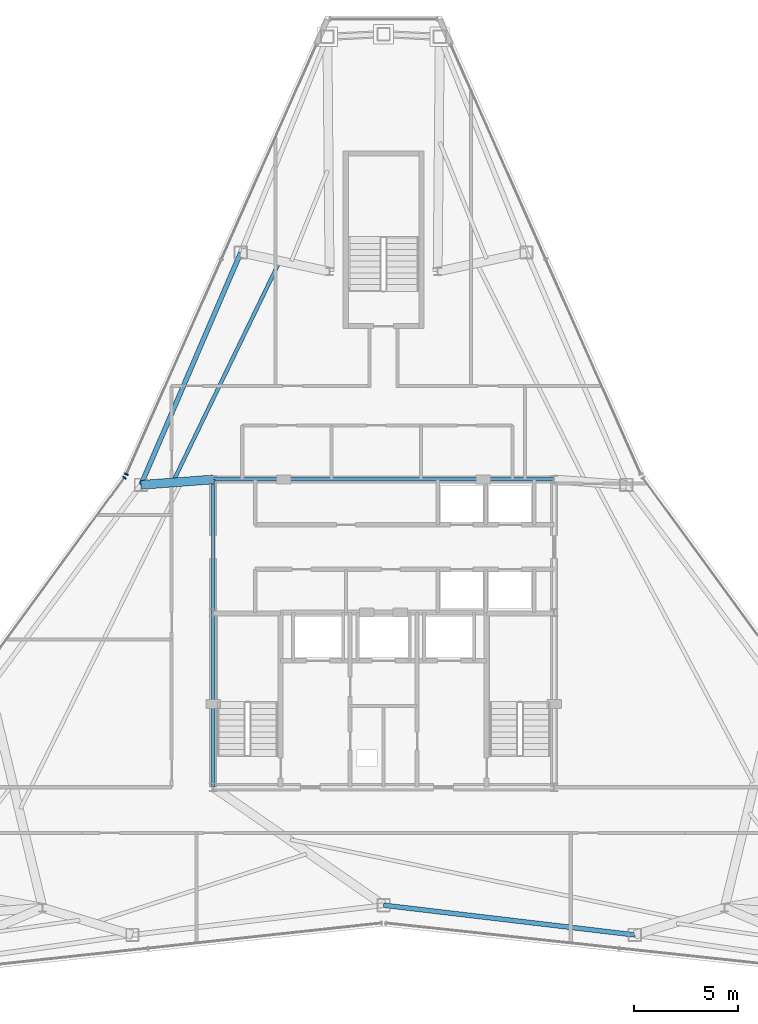
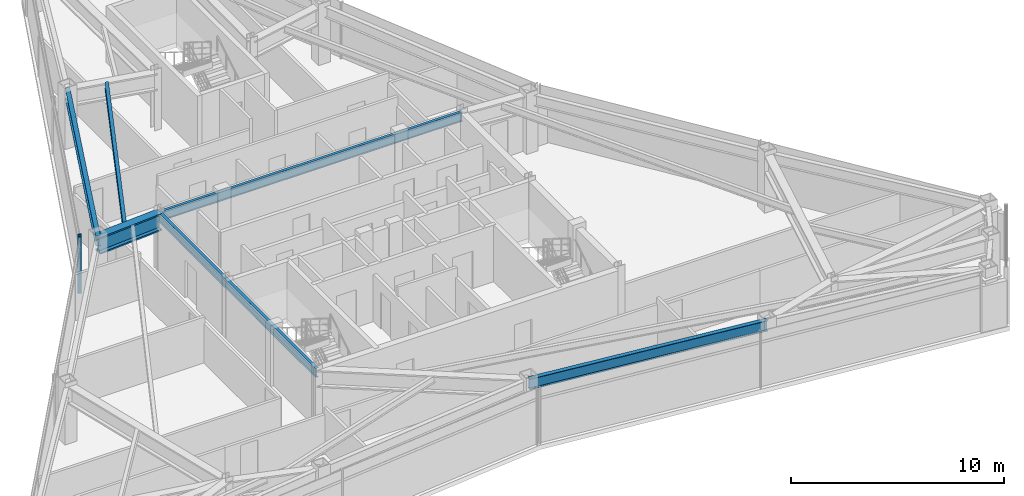
# One storey, part 5 of 12: 6 beams, 2 members, 2 elements without a shape of their own.
"""IFC4 building model written with IfcOpenShell, lengths in metres."""

from ifc_helpers import new_model, si_unit, direction, frame, origin, origin_2d, place, context, subcontext, project, spatial, rectangle, i_section, extrude, source, transform, mapped, material, layer, layer_set, material_profile, profile_set, type_object, type_shapes, element, aggregate, save


model = new_model("IFC4")

# Units and contexts
model_context = context("Model", 3, precision=1e-05, world=origin(), true_north=direction((0.0, 1.0)))
body_context = subcontext(model_context, "Body", "Model", "MODEL_VIEW")
ifc_project = project(units=[si_unit("LENGTHUNIT", "METRE"), si_unit("AREAUNIT", "SQUARE_METRE"), si_unit("VOLUMEUNIT", "CUBIC_METRE"), si_unit("PLANEANGLEUNIT", "RADIAN"), si_unit("MASSUNIT", "GRAM", prefix="KILO")], contexts=[model_context])

# Site, building, storey
site_placement = place(None, origin())
site = spatial("IfcSite", under=ifc_project, at=site_placement, CompositionType="ELEMENT")
building_placement = place(site_placement, origin())
building = spatial("IfcBuilding", under=site, at=building_placement, Name="Varakhsha Concourse Tower", CompositionType="ELEMENT")
storey_placement = place(building_placement, frame((0.0, 0.0, 272.5)))
storey = spatial("IfcBuildingStorey", under=building, at=storey_placement, Name="L77", CompositionType="ELEMENT", Elevation=272.5)

# Beams
ifc_material_1 = material(Name="Structural Steel ASTM A992 Grade 50", Category="steel")
ifc_material_profile_1 = material_profile(ifc_material_1, i_section(OverallWidth=0.177978515625, OverallDepth=0.406982421875, WebThickness=0.008056640625, FlangeThickness=0.012939453125, at=origin_2d()), Name="W16X40")
ifc_profile_set_1 = profile_set([ifc_material_profile_1], Name="Structural Steel ASTM A992 Grade 50")
beam_type_1 = type_object("IfcBeamType", Name="BM-JST-W16X40", PredefinedType="JOIST", material=ifc_profile_set_1)
beam_1_placement = place(storey_placement, frame((34.961669921875, 41.61328125, 3.04638671875), z_axis=(-0.435273123438, -0.900298454965, 0.0), x_axis=(0.900298454965, -0.435273123438, 0.0)))
element("IfcBeam", 1, at=beam_1_placement, inside=storey, type_object=beam_type_1, Name="BM-TJST-L77-04", PredefinedType="JOIST", context=body_context, shape_type="SweptSolid", body=[
    extrude(i_section(OverallWidth=0.177978515625, OverallDepth=0.406982421875, WebThickness=0.008056640625, FlangeThickness=0.012939453125, at=origin_2d()), origin(), (0.0, 0.0, 1.0), 11.619384765625),
])
ifc_material_profile_2 = material_profile(ifc_material_1, i_section(OverallWidth=0.1669921875, OverallDepth=0.534912109375, WebThickness=0.010009765625, FlangeThickness=0.01708984375, at=origin_2d()), Name="W21X57")
ifc_profile_set_2 = profile_set([ifc_material_profile_2], Name="Structural Steel ASTM A992 Grade 50")
beam_type_2 = type_object("IfcBeamType", Name="BM-RAD-W21X57", PredefinedType="BEAM", material=ifc_profile_set_2)
beam_2_placement = place(storey_placement, frame((31.800048828125, 31.199951171875, 2.982421875), z_axis=(1.0, 0.0, 0.0), x_axis=(0.0, 1.0, 0.0)))
element("IfcBeam", 2, at=beam_2_placement, inside=storey, type_object=beam_type_2, Name="BM-TCORE-L77-CN", PredefinedType="BEAM", context=body_context, shape_type="SweptSolid", body=[
    extrude(i_section(OverallWidth=0.1669921875, OverallDepth=0.534912109375, WebThickness=0.010009765625, FlangeThickness=0.01708984375, at=origin_2d()), origin(), (0.0, 0.0, 1.0), 16.39990234375),
])
beam_3_placement = place(storey_placement, frame((31.800048828125, 16.39990234375, 2.982421875), z_axis=(0.0, 1.0, 0.0), x_axis=(-1.0, 0.0, 0.0)))
element("IfcBeam", 3, at=beam_3_placement, inside=storey, type_object=beam_type_2, Name="BM-TCORE-L77-CW", PredefinedType="BEAM", context=body_context, shape_type="SweptSolid", body=[
    extrude(i_section(OverallWidth=0.1669921875, OverallDepth=0.534912109375, WebThickness=0.010009765625, FlangeThickness=0.01708984375, at=origin_2d()), origin(), (0.0, 0.0, 1.0), 14.800048828125),
])
ifc_material_profile_3 = material_profile(ifc_material_1, i_section(OverallWidth=0.22900390625, OverallDepth=0.612060546875, WebThickness=0.011962890625, FlangeThickness=0.02001953125, at=origin_2d()), Name="W24X84")
ifc_profile_set_3 = profile_set([ifc_material_profile_3], Name="Structural Steel ASTM A992 Grade 50")
beam_type_3 = type_object("IfcBeamType", Name="BM-SPAN-W24X84", PredefinedType="SPANDREL", material=ifc_profile_set_3)
for number, where, z_axis, x_axis, name in (
    (4, (33.131103515625, 42.11474609375, 2.944091796875), (-0.394757231192, -0.918785463763, 0.0), (0.918785463763, -0.394757231192, 0.0), "BM-SPAN-L77-04"),
    (5, (40.0, 10.7236328125, 2.944091796875), (0.993069539855, -0.117528247719, 0.0), (0.117528247719, 0.993069539855, 0.0), "BM-SPAN-L77-11"),
):
    element("IfcBeam", number, at=place(storey_placement, frame(where, z_axis=z_axis, x_axis=x_axis)), inside=storey, type_object=beam_type_3, Name=name, PredefinedType="SPANDREL", context=body_context, shape_type="SweptSolid", body=[
        extrude(i_section(OverallWidth=0.22900390625, OverallDepth=0.612060546875, WebThickness=0.011962890625, FlangeThickness=0.02001953125, at=origin_2d()), origin(), (0.0, 0.0, 1.0), 12.16455078125),
    ])
ifc_material_profile_4 = material_profile(ifc_material_1, i_section(OverallWidth=0.427978515625, OverallDepth=0.97509765625, WebThickness=0.050048828125, FlangeThickness=0.0810546875, at=origin_2d()), Name="W36X395")
ifc_profile_set_4 = profile_set([ifc_material_profile_4], Name="Structural Steel ASTM A992 Grade 50")
beam_type_4 = type_object("IfcBeamType", Name="BM-XFER-W36X395", PredefinedType="USERDEFINED", material=ifc_profile_set_4)
beam_4_placement = place(storey_placement, frame((31.800048828125, 31.199951171875, 2.762451171875), z_axis=(-0.997169282372, -0.075189243209, 0.0), x_axis=(0.075189243209, -0.997169282372, 0.0)))
element("IfcBeam", 6, at=beam_4_placement, inside=storey, type_object=beam_type_4, Name="L77 Radial Floor Girder 05", ObjectType="GIRDER", PredefinedType="USERDEFINED", context=body_context, shape_type="SweptSolid", body=[
    extrude(i_section(OverallWidth=0.427978515625, OverallDepth=0.97509765625, WebThickness=0.050048828125, FlangeThickness=0.0810546875, at=origin_2d()), origin(), (0.0, 0.0, 1.0), 3.480712890625),
])

# Curtain wall, member
ifc_material_2 = material(Name="Anodised Bronze Architectural Aluminium AA 6063-T6", Category="aluminium")
ifc_layer = layer(ifc_material_2, 0.199951171875, Name="CW-SYS-05")
ifc_layer_set = layer_set([ifc_layer], Name="Anodised Bronze Architectural Aluminium AA 6063-T6")
curtain_wall_type = type_object("IfcCurtainWallType", Name="CW-SYS-05", PredefinedType="NOTDEFINED", material=ifc_layer_set)
curtain_wall_1_placement = place(storey_placement, origin())
curtain_wall_1 = element("IfcCurtainWall", 7, at=curtain_wall_1_placement, inside=storey, type_object=curtain_wall_type, Name="L77 Crystal Curtain Wall F2", PredefinedType="NOTDEFINED")
ifc_material_profile_5 = material_profile(ifc_material_2, rectangle(XDim=0.06494140625, YDim=0.179931640625, at=origin_2d()), Name="CWM-180X65")
ifc_profile_set_5 = profile_set([ifc_material_profile_5], Name="Anodised Bronze Architectural Aluminium AA 6063-T6")
member_type = type_object("IfcMemberType", Name="CWM-180X65", PredefinedType="MULLION", material=ifc_profile_set_5)
shared_shape = source(origin(), body_context, "Body", "SweptSolid", [
    extrude(rectangle(XDim=0.06494140625, YDim=0.179931640625, at=origin_2d()), origin(), (0.0, 0.0, 1.0), 3.25),
])
type_shapes(member_type, [shared_shape])
member_1_placement = place(storey_placement, frame((27.63134765625, 31.45263671875, 0.0), z_axis=(0.0, 0.0, 1.0), x_axis=(0.404273357549, 0.914638208461, 0.0)))
member_1 = element("IfcMember", 8, at=member_1_placement, type_object=member_type, Name="CW-L77-F2 Mullion 00", PredefinedType="MULLION", context=body_context, shape_type="MappedRepresentation", body=[
    mapped(shared_shape, transform((0.0, 0.0, 0.0), scale=1.0)),
])
aggregate(curtain_wall_1, [member_1])

curtain_wall_2_placement = place(storey_placement, origin())
curtain_wall_2 = element("IfcCurtainWall", 9, at=curtain_wall_2_placement, inside=storey, type_object=curtain_wall_type, Name="L77 Crystal Curtain Wall F3", PredefinedType="NOTDEFINED")
member_2_placement = place(storey_placement, frame((27.53466796875, 31.28515625, 0.0), z_axis=(0.0, 0.0, 1.0), x_axis=(0.589960426558, 0.807432161296, 0.0)))
member_2 = element("IfcMember", 10, at=member_2_placement, type_object=member_type, Name="CW-L77-F3 Mullion 02", PredefinedType="MULLION", context=body_context, shape_type="MappedRepresentation", body=[
    mapped(shared_shape, transform((0.0, 0.0, 0.0), scale=1.0)),
])
aggregate(curtain_wall_2, [member_2])

save(model, "model.ifc")
